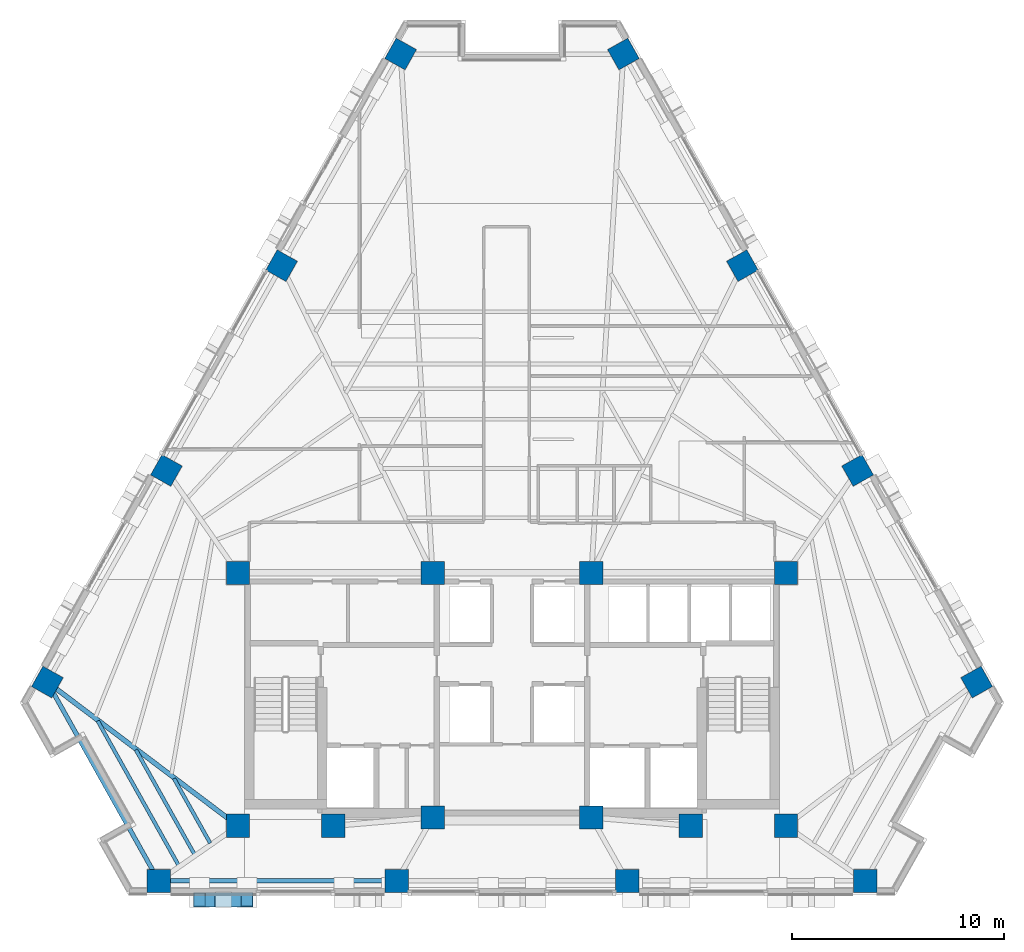
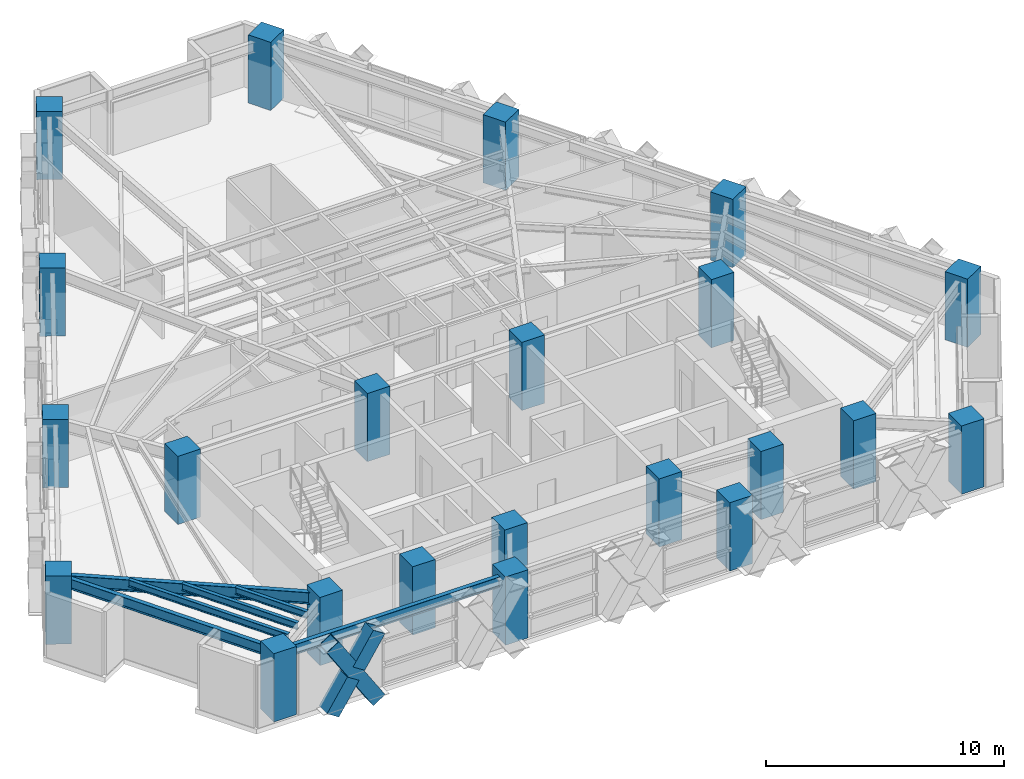
# One storey, part 1 of 14: 22 columns, 6 beams, 3 members.
"""IFC4 building model written with IfcOpenShell, lengths in metres."""

from ifc_helpers import new_model, si_unit, direction, frame, origin, origin_2d, place, context, subcontext, project, spatial, rectangle, hollow_rectangle, i_section, extrude, material, material_profile, profile_set, type_object, element, save


model = new_model("IFC4")

# Units and contexts
model_context = context("Model", 3, precision=1e-05, world=origin(), true_north=direction((0.0, 1.0)))
body_context = subcontext(model_context, "Body", "Model", "MODEL_VIEW")
ifc_project = project(units=[si_unit("LENGTHUNIT", "METRE"), si_unit("AREAUNIT", "SQUARE_METRE"), si_unit("VOLUMEUNIT", "CUBIC_METRE"), si_unit("PLANEANGLEUNIT", "RADIAN"), si_unit("MASSUNIT", "GRAM", prefix="KILO")], contexts=[model_context])

# Site, building, storey
site_placement = place(None, origin())
site = spatial("IfcSite", under=ifc_project, at=site_placement, CompositionType="ELEMENT")
building_placement = place(site_placement, origin())
building = spatial("IfcBuilding", under=site, at=building_placement, Name="Quenlor Broadcast Tower", CompositionType="ELEMENT")
storey_placement = place(building_placement, frame((0.0, 0.0, 102.0)))
storey = spatial("IfcBuildingStorey", under=building, at=storey_placement, Name="L27", CompositionType="ELEMENT", Elevation=102.0)

# Columns
ifc_material_1 = material(Name="Concrete C65/80", Category="concrete")
ifc_material_profile_1 = material_profile(ifc_material_1, rectangle(XDim=1.10009765625, YDim=1.10009765625, at=origin_2d()))
ifc_profile_set_1 = profile_set([ifc_material_profile_1], Name="Concrete C65/80 RC1100x1100")
column_type_1 = type_object("IfcColumnType", Name="Core Corner Column Mid Concrete C65/80 1100", PredefinedType="COLUMN", material=ifc_profile_set_1)
for number, where, z_axis, x_axis, name in (
    (1, (-12.949951171875, -16.75, 0.0), (0.0, 0.0, 1.0), (1.0, 0.0, 0.0), "L27 Core Column CC1"),
    (2, (-8.449951171875, -16.75, 0.0), (0.0, 0.0, 1.0), (1.0, 0.0, 0.0), "L27 Core Column CC2"),
    (3, (-3.75, -16.35009765625, 0.0), (0.0, 0.0, 1.0), (1.0, 0.0, 0.0), "L27 Core Column CC3"),
    (4, (3.75, -16.35009765625, 0.0), (0.0, 0.0, 1.0), (1.0, 0.0, 0.0), "L27 Core Column CC4"),
    (5, (8.449951171875, -16.75, 0.0), (0.0, 0.0, 1.0), (1.0, 0.0, 0.0), "L27 Core Column CC5"),
    (6, (12.949951171875, -16.75, 0.0), (0.0, 0.0, 1.0), (1.0, 0.0, 0.0), "L27 Core Column CC6"),
    (7, (-12.949951171875, -4.800048828125, 0.0), (0.0, 0.0, 1.0), (1.0, 0.0, 0.0), "L27 Core Column CC7"),
    (8, (-3.75, -4.800048828125, 0.0), (0.0, 0.0, 1.0), (1.0, 0.0, 0.0), "L27 Core Column CC8"),
    (9, (3.75, -4.800048828125, 0.0), (0.0, 0.0, 1.0), (1.0, 0.0, 0.0), "L27 Core Column CC9"),
    (10, (12.949951171875, -4.800048828125, 0.0), (0.0, 0.0, 1.0), (1.0, 0.0, 0.0), "L27 Core Column CC10"),
):
    element("IfcColumn", number, at=place(storey_placement, frame(where, z_axis=z_axis, x_axis=x_axis)), inside=storey, type_object=column_type_1, Name=name, PredefinedType="COLUMN", context=body_context, shape_type="SweptSolid", body=[
        extrude(rectangle(XDim=1.10009765625, YDim=1.10009765625, at=origin_2d()), origin(), (0.0, 0.0, 1.0), 3.5),
    ])
ifc_material_2 = material(Name="Concrete C65/80", Category="concrete")
ifc_material_profile_2 = material_profile(ifc_material_2, rectangle(XDim=1.10009765625, YDim=1.10009765625, at=origin_2d()))
ifc_profile_set_2 = profile_set([ifc_material_profile_2], Name="Concrete C65/80 RC1100x1100")
column_type_2 = type_object("IfcColumnType", Name="Tower Perimeter Column Z2 Concrete C65/80 1100", PredefinedType="COLUMN", material=ifc_profile_set_2)
for number, where, z_axis, x_axis, name in (
    (11, (-16.6923828125, -19.35009765625, 0.0), (0.0, 0.0, 1.0), (0.0, 1.0, 0.0), "L27 Perimeter Column S1"),
    (12, (-5.443115234375, -19.35009765625, 0.0), (0.0, 0.0, 1.0), (0.0, 1.0, 0.0), "L27 Perimeter Column S2"),
    (13, (5.443115234375, -19.35009765625, 0.0), (0.0, 0.0, 1.0), (0.0, 1.0, 0.0), "L27 Perimeter Column S3"),
    (14, (16.6923828125, -19.35009765625, 0.0), (0.0, 0.0, 1.0), (0.0, 1.0, 0.0), "L27 Perimeter Column S4"),
    (15, (21.95458984375, -9.95654296875, 0.0), (0.0, 0.0, 1.0), (0.871575139605, 0.490261946333, 0.0), "L27 Perimeter Column NE1"),
    (16, (16.330078125, 0.04296875, 0.0), (0.0, 0.0, 1.0), (0.871575139605, 0.490261946333, 0.0), "L27 Perimeter Column NE2"),
    (17, (10.886962890625, 9.7197265625, 0.0), (0.0, 0.0, 1.0), (0.871575139605, 0.490261946333, 0.0), "L27 Perimeter Column NE3"),
    (18, (5.26220703125, 19.718994140625, 0.0), (0.0, 0.0, 1.0), (0.871575139605, 0.490261946333, 0.0), "L27 Perimeter Column NE4"),
    (19, (-5.26220703125, 19.718994140625, 0.0), (0.0, 0.0, 1.0), (-0.871575139605, 0.490261946333, 0.0), "L27 Perimeter Column NW1"),
    (20, (-10.886962890625, 9.7197265625, 0.0), (0.0, 0.0, 1.0), (-0.871575139605, 0.490261946333, 0.0), "L27 Perimeter Column NW2"),
    (21, (-16.330078125, 0.04296875, 0.0), (0.0, 0.0, 1.0), (-0.871575139605, 0.490261946333, 0.0), "L27 Perimeter Column NW3"),
    (22, (-21.95458984375, -9.95654296875, 0.0), (0.0, 0.0, 1.0), (-0.871575139605, 0.490261946333, 0.0), "L27 Perimeter Column NW4"),
):
    element("IfcColumn", number, at=place(storey_placement, frame(where, z_axis=z_axis, x_axis=x_axis)), inside=storey, type_object=column_type_2, Name=name, PredefinedType="COLUMN", context=body_context, shape_type="SweptSolid", body=[
        extrude(rectangle(XDim=1.10009765625, YDim=1.10009765625, at=origin_2d()), origin(), (0.0, 0.0, 1.0), 3.5),
    ])

# Members
ifc_material_3 = material(Name="Steel S355", Category="steel")
ifc_material_profile_3 = material_profile(ifc_material_3, hollow_rectangle(XDim=0.679931640625, YDim=0.679931640625, WallThickness=0.030029296875, at=origin_2d()))
ifc_profile_set_3 = profile_set([ifc_material_profile_3], Name="Steel S355 RHS680x680x30")
member_type = type_object("IfcMemberType", Name="Perimeter Diagonal Lattice Brace Z2 Steel S355 RHS680x30", PredefinedType="BRACE", material=ifc_profile_set_3)
member_1_placement = place(storey_placement, frame((-12.5126953125, -20.235107421875, -0.1201171875), z_axis=(-0.539926440573, 0.0, 0.841712206618), x_axis=(0.0, -1.0, 0.0)))
element("IfcMember", 23, at=member_1_placement, inside=storey, type_object=member_type, Name="L27 Perimeter Diamond Lattice S-C5XA", PredefinedType="BRACE", context=body_context, shape_type="SweptSolid", body=[
    extrude(hollow_rectangle(XDim=0.679931640625, YDim=0.679931640625, WallThickness=0.030029296875, at=origin_2d()), origin(), (0.0, 0.0, 1.0), 4.158203125),
])
member_2_placement = place(storey_placement, frame((-14.7578125, -20.235107421875, -0.1201171875), z_axis=(0.539860138754, 0.0, 0.841754733034), x_axis=(0.0, 1.0, 0.0)))
element("IfcMember", 24, at=member_2_placement, inside=storey, type_object=member_type, Name="L27 Perimeter Diamond Lattice S-C5XB1", PredefinedType="BRACE", context=body_context, shape_type="SweptSolid", body=[
    extrude(hollow_rectangle(XDim=0.679931640625, YDim=0.679931640625, WallThickness=0.030029296875, at=origin_2d()), origin(), (0.0, 0.0, 1.0), 1.829345703125),
])
member_3_placement = place(storey_placement, frame((-13.500244140625, -20.235107421875, 1.84033203125), z_axis=(0.539920793993, 0.0, 0.841715828658), x_axis=(0.0, 1.0, 0.0)))
element("IfcMember", 25, at=member_3_placement, inside=storey, type_object=member_type, Name="L27 Perimeter Diamond Lattice S-C5XB2", PredefinedType="BRACE", context=body_context, shape_type="SweptSolid", body=[
    extrude(hollow_rectangle(XDim=0.679931640625, YDim=0.679931640625, WallThickness=0.030029296875, at=origin_2d()), origin(), (0.0, 0.0, 1.0), 1.8291015625),
])

# Beams
ifc_material_4 = material(Name="Steel S355", Category="steel")
ifc_material_profile_4 = material_profile(ifc_material_4, i_section(OverallWidth=0.208984375, OverallDepth=0.5283203125, WebThickness=0.009521484375, FlangeThickness=0.01318359375, FilletRadius=0.013916015625, at=origin_2d()))
ifc_profile_set_4 = profile_set([ifc_material_profile_4], Name="Steel S355 530UB82.0")
beam_type_1 = type_object("IfcBeamType", Name="Perimeter Spandrel Beam Z2 Steel S355 530UB82.0", PredefinedType="SPANDREL", material=ifc_profile_set_4)
beam_1_placement = place(storey_placement, frame((-16.282470703125, -19.35009765625, 2.98583984375), z_axis=(1.0, 0.0, 0.0), x_axis=(0.0, 1.0, 0.0)))
element("IfcBeam", 26, at=beam_1_placement, inside=storey, type_object=beam_type_1, Name="L27 Spandrel Beam S1-S2", PredefinedType="SPANDREL", context=body_context, shape_type="SweptSolid", body=[
    extrude(i_section(OverallWidth=0.208984375, OverallDepth=0.5283203125, WebThickness=0.009521484375, FlangeThickness=0.01318359375, FilletRadius=0.013916015625, at=origin_2d()), origin(), (0.0, 0.0, 1.0), 10.42919921875),
])
beam_2_placement = place(storey_placement, frame((-21.75439453125, -10.314208984375, 2.98583984375), z_axis=(0.488749102779, -0.872424389006, 0.0), x_axis=(0.872424389006, 0.488749102779, 0.0)))
element("IfcBeam", 27, at=beam_2_placement, inside=storey, type_object=beam_type_1, Name="L27 Spandrel Beam NW4-S1", PredefinedType="SPANDREL", context=body_context, shape_type="SweptSolid", body=[
    extrude(i_section(OverallWidth=0.208984375, OverallDepth=0.5283203125, WebThickness=0.009521484375, FlangeThickness=0.01318359375, FilletRadius=0.013916015625, at=origin_2d()), origin(), (0.0, 0.0, 1.0), 9.947021484375),
])
ifc_material_5 = material(Name="Steel S355", Category="steel")
ifc_material_profile_5 = material_profile(ifc_material_5, i_section(OverallWidth=0.172119140625, OverallDepth=0.358642578125, WebThickness=0.008056640625, FlangeThickness=0.012939453125, FilletRadius=0.011474609375, at=origin_2d()))
ifc_profile_set_5 = profile_set([ifc_material_profile_5], Name="Steel S355 360UB56.7")
beam_type_2 = type_object("IfcBeamType", Name="Tower Composite Joist Z2-Z3 Steel S355 360UB56.7", PredefinedType="JOIST", material=ifc_profile_set_5)
beam_3_placement = place(storey_placement, frame((-14.261474609375, -17.564208984375, 3.07080078125), z_axis=(-0.488730779643, 0.87243465373, 0.0), x_axis=(-0.87243465373, -0.488730779643, 0.0)))
element("IfcBeam", 28, at=beam_3_placement, inside=storey, type_object=beam_type_2, Name="L27 Secondary Composite Joist 19", PredefinedType="JOIST", context=body_context, shape_type="SweptSolid", body=[
    extrude(i_section(OverallWidth=0.172119140625, OverallDepth=0.358642578125, WebThickness=0.008056640625, FlangeThickness=0.012939453125, FilletRadius=0.011474609375, at=origin_2d()), origin(), (0.0, 0.0, 1.0), 3.500732421875),
])
beam_4_placement = place(storey_placement, frame((-15.010009765625, -18.084228515625, 3.07080078125), z_axis=(-0.488741419435, 0.87242869332, 0.0), x_axis=(-0.87242869332, -0.488741419435, 0.0)))
element("IfcBeam", 29, at=beam_4_placement, inside=storey, type_object=beam_type_2, Name="L27 Secondary Composite Joist 20", PredefinedType="JOIST", context=body_context, shape_type="SweptSolid", body=[
    extrude(i_section(OverallWidth=0.172119140625, OverallDepth=0.358642578125, WebThickness=0.008056640625, FlangeThickness=0.012939453125, FilletRadius=0.011474609375, at=origin_2d()), origin(), (0.0, 0.0, 1.0), 5.654052734375),
])
beam_5_placement = place(storey_placement, frame((-15.758544921875, -18.604248046875, 3.07080078125), z_axis=(-0.488732857155, 0.872433489922, 0.0), x_axis=(-0.872433489922, -0.488732857155, 0.0)))
element("IfcBeam", 30, at=beam_5_placement, inside=storey, type_object=beam_type_2, Name="L27 Secondary Composite Joist 21", PredefinedType="JOIST", context=body_context, shape_type="SweptSolid", body=[
    extrude(i_section(OverallWidth=0.172119140625, OverallDepth=0.358642578125, WebThickness=0.008056640625, FlangeThickness=0.012939453125, FilletRadius=0.011474609375, at=origin_2d()), origin(), (0.0, 0.0, 1.0), 7.807861328125),
])
ifc_material_6 = material(Name="Steel S355", Category="steel")
ifc_material_profile_6 = material_profile(ifc_material_6, i_section(OverallWidth=0.22802734375, OverallDepth=0.60205078125, WebThickness=0.010498046875, FlangeThickness=0.014892578125, FilletRadius=0.013916015625, at=origin_2d()))
ifc_profile_set_6 = profile_set([ifc_material_profile_6], Name="Steel S355 610UB101")
beam_type_3 = type_object("IfcBeamType", Name="Tower Primary Floor Beam Z2 Steel S355 610UB101", PredefinedType="BEAM", material=ifc_profile_set_6)
beam_6_placement = place(storey_placement, frame((-21.62744140625, -10.203369140625, 2.948974609375), z_axis=(0.798298724007, -0.602261693327, 0.0), x_axis=(0.602261693327, 0.798298724007, 0.0)))
element("IfcBeam", 31, at=beam_6_placement, inside=storey, type_object=beam_type_3, Name="L27 Primary Radial Beam NW4", PredefinedType="BEAM", context=body_context, shape_type="SweptSolid", body=[
    extrude(i_section(OverallWidth=0.22802734375, OverallDepth=0.60205078125, WebThickness=0.010498046875, FlangeThickness=0.014892578125, FilletRadius=0.013916015625, at=origin_2d()), origin(), (0.0, 0.0, 1.0), 10.48974609375),
])

save(model, "model.ifc")
